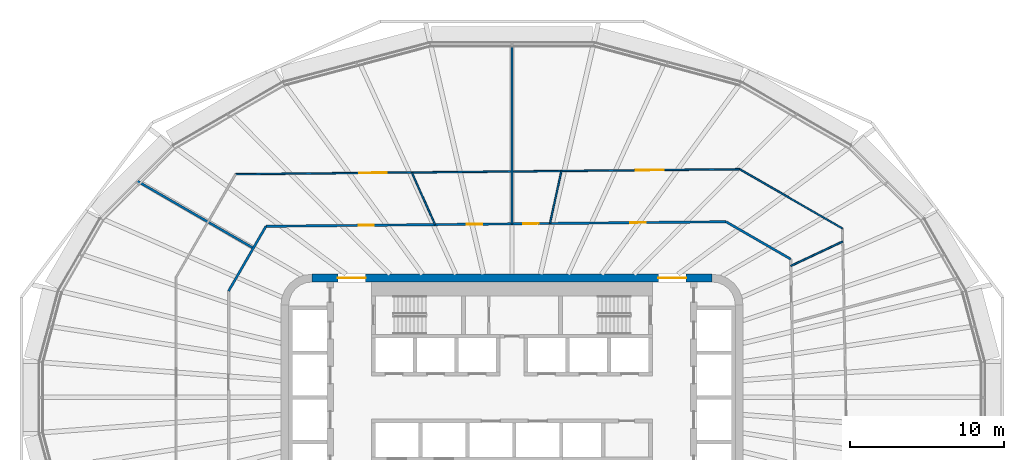
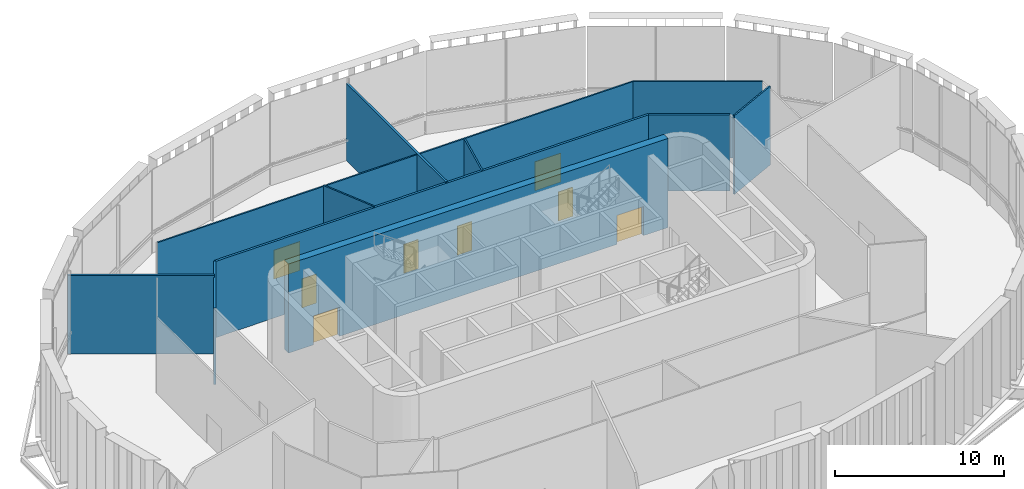
# One storey, part 10 of 18: 11 walls, 8 doors, 8 openings.
"""IFC4 building model written with IfcOpenShell, lengths in metres."""

from ifc_helpers import new_model, si_unit, direction, frame, frame_2d, origin, place, context, subcontext, project, spatial, rectangle, extrude, material, layer, layer_set, type_object, element, fill, save


model = new_model("IFC4")

# Units and contexts
model_context = context("Model", 3, precision=1e-05, world=origin(), true_north=direction((0.0, 1.0)))
body_context = subcontext(model_context, "Body", "Model", "MODEL_VIEW")
ifc_project = project(units=[si_unit("LENGTHUNIT", "METRE"), si_unit("AREAUNIT", "SQUARE_METRE"), si_unit("VOLUMEUNIT", "CUBIC_METRE"), si_unit("PLANEANGLEUNIT", "RADIAN"), si_unit("MASSUNIT", "GRAM", prefix="KILO")], contexts=[model_context])

# Site, building, storey
site_placement = place(None, origin())
site = spatial("IfcSite", under=ifc_project, at=site_placement, CompositionType="ELEMENT")
building_placement = place(site_placement, origin())
building = spatial("IfcBuilding", under=site, at=building_placement, Name="Sahrelin Media Tower", CompositionType="ELEMENT")
storey_placement = place(building_placement, frame((0.0, 0.0, 203.0)))
storey = spatial("IfcBuildingStorey", under=building, at=storey_placement, Name="L43", CompositionType="ELEMENT", Elevation=203.0)

# Wall, openings, doors
ifc_material_1 = material(Name="Concrete C60/75", Category="concrete")
ifc_layer_1 = layer(ifc_material_1, 0.5)
ifc_layer_set_1 = layer_set([ifc_layer_1], Name="Core wall 500")
wall_type_1 = type_object("IfcWallType", Name="Core wall 500", PredefinedType="SHEAR", material=ifc_layer_set_1)
wall_1_placement = place(storey_placement, frame((-13.0, 7.75, 0.0), z_axis=(0.0, 0.0, 1.0), x_axis=(1.0, 0.0, 0.0)))
wall_1 = element("IfcWall", 1, at=wall_1_placement, inside=storey, type_object=wall_type_1, Name="Core wall N L43", PredefinedType="SHEAR", context=body_context, shape_type="SweptSolid", body=[
    extrude(rectangle(XDim=26.0, YDim=0.5, at=frame_2d((13.0, 0.0))), origin(), (0.0, 0.0, 1.0), 6.449951171875),
])
opening_1_placement = place(wall_1_placement, frame((1.699951171875, 0.0, 0.0)))
opening_1 = element("IfcOpeningElement", 2, at=opening_1_placement, cuts=wall_1, Name="Opening L43-D14", PredefinedType="OPENING", context=body_context, shape_type="SweptSolid", body=[
    extrude(rectangle(XDim=1.800048828125, YDim=2.10009765625, at=frame_2d((0.89990234375, 1.050048828125))), frame((0.0, 0.25, 0.0), z_axis=(0.0, -1.0, 0.0), x_axis=(1.0, 0.0, 0.0)), (0.0, 0.0, 1.0), 0.5),
])
opening_2_placement = place(wall_1_placement, frame((22.5, 0.0, 0.0)))
opening_2 = element("IfcOpeningElement", 3, at=opening_2_placement, cuts=wall_1, Name="Opening L43-D15", PredefinedType="OPENING", context=body_context, shape_type="SweptSolid", body=[
    extrude(rectangle(XDim=1.800048828125, YDim=2.10009765625, at=frame_2d((0.89990234375, 1.050048828125))), frame((0.0, 0.25, 0.0), z_axis=(0.0, -1.0, 0.0), x_axis=(1.0, 0.0, 0.0)), (0.0, 0.0, 1.0), 0.5),
])
ifc_material_2 = material(Name="Steel fire door leaf", Category="steel")
door_type_1 = type_object("IfcDoorType", Name="Lobby double door 1800 x 2100 EI 60", OperationType="DOUBLE_DOOR_SINGLE_SWING", PredefinedType="DOOR", material=ifc_material_2)
door_1_placement = place(opening_1_placement, origin())
door_1 = element("IfcDoor", 4, at=door_1_placement, inside=storey, type_object=door_type_1, Name="Lobby door", OperationType="DOUBLE_DOOR_SINGLE_SWING", OverallHeight=2.10009765625, OverallWidth=1.800048828125, PredefinedType="DOOR", context=body_context, shape_type="SweptSolid", body=[
    extrude(rectangle(XDim=1.800048828125, YDim=2.10009765625, at=frame_2d((0.89990234375, 1.050048828125))), frame((0.0, 0.02490234375, 0.0), z_axis=(0.0, -1.0, 0.0), x_axis=(1.0, 0.0, 0.0)), (0.0, 0.0, 1.0), 0.050048828125),
])
fill(opening_1, door_1)
door_2_placement = place(opening_2_placement, origin())
door_2 = element("IfcDoor", 5, at=door_2_placement, inside=storey, type_object=door_type_1, Name="Lobby door", OperationType="DOUBLE_DOOR_SINGLE_SWING", OverallHeight=2.10009765625, OverallWidth=1.800048828125, PredefinedType="DOOR", context=body_context, shape_type="SweptSolid", body=[
    extrude(rectangle(XDim=1.800048828125, YDim=2.10009765625, at=frame_2d((0.89990234375, 1.050048828125))), frame((0.0, 0.02490234375, 0.0), z_axis=(0.0, -1.0, 0.0), x_axis=(1.0, 0.0, 0.0)), (0.0, 0.0, 1.0), 0.050048828125),
])
fill(opening_2, door_2)

# Walls
ifc_material_3 = material(Name="Fire-rated gypsum board partition")
ifc_layer_2 = layer(ifc_material_3, 0.14990234375)
ifc_layer_set_2 = layer_set([ifc_layer_2], Name="Fire-rated partition 150")
wall_type_2 = type_object("IfcWallType", Name="Fire-rated partition 150", PredefinedType="PARTITIONING", material=ifc_layer_set_2)
wall_2_placement = place(storey_placement, frame((-24.345947265625, 14.055908203125, 0.0), z_axis=(0.0, 0.0, 1.0), x_axis=(0.866019164606, -0.500010806419, 0.0)))
element("IfcWall", 6, at=wall_2_placement, inside=storey, type_object=wall_type_2, Name="Wall", PredefinedType="PARTITIONING", context=body_context, shape_type="SweptSolid", body=[
    extrude(rectangle(XDim=8.721435546875, YDim=0.14990234375, at=frame_2d((4.36083984375, 0.0))), origin(), (0.0, 0.0, 1.0), 5.676025390625),
])
wall_3_placement = place(storey_placement, frame((13.89501953125, 11.408935546875, 0.0), z_axis=(0.0, 0.0, 1.0), x_axis=(0.866017793092, -0.500013181875, 0.0)))
element("IfcWall", 7, at=wall_3_placement, inside=storey, type_object=wall_type_2, Name="Wall", PredefinedType="PARTITIONING", context=body_context, shape_type="SweptSolid", body=[
    extrude(rectangle(XDim=4.845947265625, YDim=0.14990234375, at=frame_2d((2.4228515625, 0.0))), origin(), (0.0, 0.0, 1.0), 5.527099609375),
])

# Wall, openings, doors
wall_4_placement = place(storey_placement, frame((-15.97412109375, 11.113037109375, 0.0), z_axis=(0.0, 0.0, 1.0), x_axis=(0.999950853314, 0.009914179568, 0.0)))
wall_4 = element("IfcWall", 8, at=wall_4_placement, inside=storey, type_object=wall_type_2, Name="Wall", PredefinedType="PARTITIONING", context=body_context, shape_type="SweptSolid", body=[
    extrude(rectangle(XDim=29.87060546875, YDim=0.14990234375, at=frame_2d((14.935302734375, 0.0))), origin(), (0.0, 0.0, 1.0), 5.527099609375),
])
opening_3_placement = place(wall_4_placement, frame((23.65478515625, 0.0, 0.0)))
opening_3 = element("IfcOpeningElement", 9, at=opening_3_placement, cuts=wall_4, Name="Opening L43-D19", PredefinedType="OPENING", context=body_context, shape_type="SweptSolid", body=[
    extrude(rectangle(XDim=1.0, YDim=2.10009765625, at=frame_2d((0.5, 1.050048828125))), frame((0.0, 0.074951171875, 0.0), z_axis=(0.0, -1.0, 0.0), x_axis=(1.0, 0.0, 0.0)), (0.0, 0.0, 1.0), 0.14990234375),
])
opening_4_placement = place(wall_4_placement, frame((16.707275390625, 0.0, 0.0)))
opening_4 = element("IfcOpeningElement", 10, at=opening_4_placement, cuts=wall_4, Name="Opening L43-D20", PredefinedType="OPENING", context=body_context, shape_type="SweptSolid", body=[
    extrude(rectangle(XDim=1.0, YDim=2.10009765625, at=frame_2d((0.5, 1.050048828125))), frame((0.0, 0.074951171875, 0.0), z_axis=(0.0, -1.0, 0.0), x_axis=(1.0, 0.0, 0.0)), (0.0, 0.0, 1.0), 0.14990234375),
])
opening_5_placement = place(wall_4_placement, frame((13.02734375, 0.0, 0.0)))
opening_5 = element("IfcOpeningElement", 11, at=opening_5_placement, cuts=wall_4, Name="Opening L43-D22", PredefinedType="OPENING", context=body_context, shape_type="SweptSolid", body=[
    extrude(rectangle(XDim=1.0, YDim=2.10009765625, at=frame_2d((0.5, 1.050048828125))), frame((0.0, 0.074951171875, 0.0), z_axis=(0.0, -1.0, 0.0), x_axis=(1.0, 0.0, 0.0)), (0.0, 0.0, 1.0), 0.14990234375),
])
opening_6_placement = place(wall_4_placement, frame((6.011474609375, 0.0, 0.0)))
opening_6 = element("IfcOpeningElement", 12, at=opening_6_placement, cuts=wall_4, Name="Opening L43-D23", PredefinedType="OPENING", context=body_context, shape_type="SweptSolid", body=[
    extrude(rectangle(XDim=1.0, YDim=2.10009765625, at=frame_2d((0.5, 1.050048828125))), frame((0.0, 0.074951171875, 0.0), z_axis=(0.0, -1.0, 0.0), x_axis=(1.0, 0.0, 0.0)), (0.0, 0.0, 1.0), 0.14990234375),
])
door_type_2 = type_object("IfcDoorType", Name="Fire door 1000 x 2100 EI 60", OperationType="NOTDEFINED", PredefinedType="DOOR", material=ifc_material_2)
door_3_placement = place(opening_3_placement, origin())
door_3 = element("IfcDoor", 13, at=door_3_placement, inside=storey, type_object=door_type_2, Name="Fire door", OperationType="SINGLE_SWING_RIGHT", OverallHeight=2.10009765625, OverallWidth=1.0, PredefinedType="DOOR", context=body_context, shape_type="SweptSolid", body=[
    extrude(rectangle(XDim=1.0, YDim=2.10009765625, at=frame_2d((0.5, 1.050048828125))), frame((0.0, 0.02490234375, 0.0), z_axis=(0.0, -1.0, 0.0), x_axis=(1.0, 0.0, 0.0)), (0.0, 0.0, 1.0), 0.050048828125),
])
fill(opening_3, door_3)
door_4_placement = place(opening_4_placement, origin())
door_4 = element("IfcDoor", 14, at=door_4_placement, inside=storey, type_object=door_type_2, Name="Fire door", OperationType="SINGLE_SWING_LEFT", OverallHeight=2.10009765625, OverallWidth=1.0, PredefinedType="DOOR", context=body_context, shape_type="SweptSolid", body=[
    extrude(rectangle(XDim=1.0, YDim=2.10009765625, at=frame_2d((0.5, 1.050048828125))), frame((0.0, 0.02490234375, 0.0), z_axis=(0.0, -1.0, 0.0), x_axis=(1.0, 0.0, 0.0)), (0.0, 0.0, 1.0), 0.050048828125),
])
fill(opening_4, door_4)
door_5_placement = place(opening_5_placement, origin())
door_5 = element("IfcDoor", 15, at=door_5_placement, inside=storey, type_object=door_type_2, Name="Fire door", OperationType="SINGLE_SWING_LEFT", OverallHeight=2.10009765625, OverallWidth=1.0, PredefinedType="DOOR", context=body_context, shape_type="SweptSolid", body=[
    extrude(rectangle(XDim=1.0, YDim=2.10009765625, at=frame_2d((0.5, 1.050048828125))), frame((0.0, 0.02490234375, 0.0), z_axis=(0.0, -1.0, 0.0), x_axis=(1.0, 0.0, 0.0)), (0.0, 0.0, 1.0), 0.050048828125),
])
fill(opening_5, door_5)
door_6_placement = place(opening_6_placement, origin())
door_6 = element("IfcDoor", 16, at=door_6_placement, inside=storey, type_object=door_type_2, Name="Fire door", OperationType="SINGLE_SWING_RIGHT", OverallHeight=2.10009765625, OverallWidth=1.0, PredefinedType="DOOR", context=body_context, shape_type="SweptSolid", body=[
    extrude(rectangle(XDim=1.0, YDim=2.10009765625, at=frame_2d((0.5, 1.050048828125))), frame((0.0, 0.02490234375, 0.0), z_axis=(0.0, -1.0, 0.0), x_axis=(1.0, 0.0, 0.0)), (0.0, 0.0, 1.0), 0.050048828125),
])
fill(opening_6, door_6)

# Walls
wall_5_placement = place(storey_placement, frame((-18.400146484375, 6.9111328125, 0.0), z_axis=(0.0, 0.0, 1.0), x_axis=(0.49981392878, 0.866132805405, 0.0)))
element("IfcWall", 17, at=wall_5_placement, inside=storey, type_object=wall_type_2, Name="Wall", PredefinedType="PARTITIONING", context=body_context, shape_type="SweptSolid", body=[
    extrude(rectangle(XDim=4.851806640625, YDim=0.14990234375, at=frame_2d((2.42578125, 0.0))), origin(), (0.0, 0.0, 1.0), 5.527099609375),
])
wall_6_placement = place(storey_placement, frame((0.0, 11.27099609375, 0.0), z_axis=(0.0, 0.0, 1.0), x_axis=(0.0, 1.0, 0.0)))
element("IfcWall", 18, at=wall_6_placement, inside=storey, type_object=wall_type_2, Name="Wall", PredefinedType="PARTITIONING", context=body_context, shape_type="SweptSolid", body=[
    extrude(rectangle(XDim=11.781005859375, YDim=0.14990234375, at=frame_2d((5.890625, 0.0))), origin(), (0.0, 0.0, 1.0), 5.594970703125),
])
ifc_material_4 = material(Name="Gypsum board partition")
ifc_layer_3 = layer(ifc_material_4, 0.10009765625)
ifc_layer_set_3 = layer_set([ifc_layer_3], Name="Partition 100")
wall_type_3 = type_object("IfcWallType", Name="Partition 100", PredefinedType="PARTITIONING", material=ifc_layer_set_3)
wall_7_placement = place(storey_placement, frame((-6.50390625, 14.60693359375, 0.0), z_axis=(0.0, 0.0, 1.0), x_axis=(0.406896325869, -0.913474345559, 0.0)))
element("IfcWall", 19, at=wall_7_placement, inside=storey, type_object=wall_type_3, Name="Wall", PredefinedType="PARTITIONING", context=body_context, shape_type="SweptSolid", body=[
    extrude(rectangle(XDim=3.70556640625, YDim=0.10009765625, at=frame_2d((1.852783203125, 0.0))), origin(), (0.0, 0.0, 1.0), 5.594970703125),
])
wall_8_placement = place(storey_placement, frame((14.7900390625, 14.818115234375, 0.0), z_axis=(0.0, 0.0, 1.0), x_axis=(0.866027558591, -0.499996267748, 0.0)))
element("IfcWall", 20, at=wall_8_placement, inside=storey, type_object=wall_type_3, Name="Wall", PredefinedType="PARTITIONING", context=body_context, shape_type="SweptSolid", body=[
    extrude(rectangle(XDim=7.6923828125, YDim=0.10009765625, at=frame_2d((3.84619140625, 0.0))), origin(), (0.0, 0.0, 1.0), 5.527099609375),
])

# Wall, openings, doors
wall_9_placement = place(storey_placement, frame((-17.947998046875, 14.493896484375, 0.0), z_axis=(0.0, 0.0, 1.0), x_axis=(0.999950742898, 0.009925309958, 0.0)))
wall_9 = element("IfcWall", 21, at=wall_9_placement, inside=storey, type_object=wall_type_3, Name="Wall", PredefinedType="PARTITIONING", context=body_context, shape_type="SweptSolid", body=[
    extrude(rectangle(XDim=32.73974609375, YDim=0.10009765625, at=frame_2d((16.369873046875, 0.0))), origin(), (0.0, 0.0, 1.0), 5.527099609375),
])
opening_7_placement = place(wall_9_placement, frame((25.99609375, 0.0, 0.0)))
opening_7 = element("IfcOpeningElement", 22, at=opening_7_placement, cuts=wall_9, Name="Opening L43-D21", PredefinedType="OPENING", context=body_context, shape_type="SweptSolid", body=[
    extrude(rectangle(XDim=1.800048828125, YDim=2.10009765625, at=frame_2d((0.89990234375, 1.050048828125))), frame((0.0, 0.050048828125, 0.0), z_axis=(0.0, -1.0, 0.0), x_axis=(1.0, 0.0, 0.0)), (0.0, 0.0, 1.0), 0.10009765625),
])
opening_8_placement = place(wall_9_placement, frame((8.02392578125, 0.0, 0.0)))
opening_8 = element("IfcOpeningElement", 23, at=opening_8_placement, cuts=wall_9, Name="Opening L43-D24", PredefinedType="OPENING", context=body_context, shape_type="SweptSolid", body=[
    extrude(rectangle(XDim=1.800048828125, YDim=2.10009765625, at=frame_2d((0.89990234375, 1.050048828125))), frame((0.0, 0.050048828125, 0.0), z_axis=(0.0, -1.0, 0.0), x_axis=(1.0, 0.0, 0.0)), (0.0, 0.0, 1.0), 0.10009765625),
])
ifc_material_5 = material(Name="Timber door leaf", Category="wood")
door_type_3 = type_object("IfcDoorType", Name="Double door 1800 x 2100", OperationType="DOUBLE_DOOR_SINGLE_SWING", PredefinedType="DOOR", material=ifc_material_5)
door_7_placement = place(opening_7_placement, origin())
door_7 = element("IfcDoor", 24, at=door_7_placement, inside=storey, type_object=door_type_3, Name="Double door", OperationType="DOUBLE_DOOR_SINGLE_SWING", OverallHeight=2.10009765625, OverallWidth=1.800048828125, PredefinedType="DOOR", context=body_context, shape_type="SweptSolid", body=[
    extrude(rectangle(XDim=1.800048828125, YDim=2.10009765625, at=frame_2d((0.89990234375, 1.050048828125))), frame((0.0, 0.02490234375, 0.0), z_axis=(0.0, -1.0, 0.0), x_axis=(1.0, 0.0, 0.0)), (0.0, 0.0, 1.0), 0.050048828125),
])
fill(opening_7, door_7)
door_8_placement = place(opening_8_placement, origin())
door_8 = element("IfcDoor", 25, at=door_8_placement, inside=storey, type_object=door_type_3, Name="Double door", OperationType="DOUBLE_DOOR_SINGLE_SWING", OverallHeight=2.10009765625, OverallWidth=1.800048828125, PredefinedType="DOOR", context=body_context, shape_type="SweptSolid", body=[
    extrude(rectangle(XDim=1.800048828125, YDim=2.10009765625, at=frame_2d((0.89990234375, 1.050048828125))), frame((0.0, 0.02490234375, 0.0), z_axis=(0.0, -1.0, 0.0), x_axis=(1.0, 0.0, 0.0)), (0.0, 0.0, 1.0), 0.050048828125),
])
fill(opening_8, door_8)

# Walls
wall_10_placement = place(storey_placement, frame((18.10107421875, 8.5380859375, 0.0), z_axis=(0.0, 0.0, 1.0), x_axis=(0.904509384474, 0.426453717769, 0.0)))
element("IfcWall", 26, at=wall_10_placement, inside=storey, type_object=wall_type_3, Name="Wall", PredefinedType="PARTITIONING", context=body_context, shape_type="SweptSolid", body=[
    extrude(rectangle(XDim=3.723388671875, YDim=0.10009765625, at=frame_2d((1.86181640625, 0.0))), origin(), (0.0, 0.0, 1.0), 5.699951171875),
])
wall_11_placement = place(storey_placement, frame((2.464111328125, 11.2958984375, 0.0), z_axis=(0.0, 0.0, 1.0), x_axis=(0.212978790234, 0.977056822764, 0.0)))
element("IfcWall", 27, at=wall_11_placement, inside=storey, type_object=wall_type_3, Name="Wall", PredefinedType="PARTITIONING", context=body_context, shape_type="SweptSolid", body=[
    extrude(rectangle(XDim=3.48828125, YDim=0.10009765625, at=frame_2d((1.744140625, 0.0))), origin(), (0.0, 0.0, 1.0), 5.527099609375),
])

save(model, "model.ifc")
